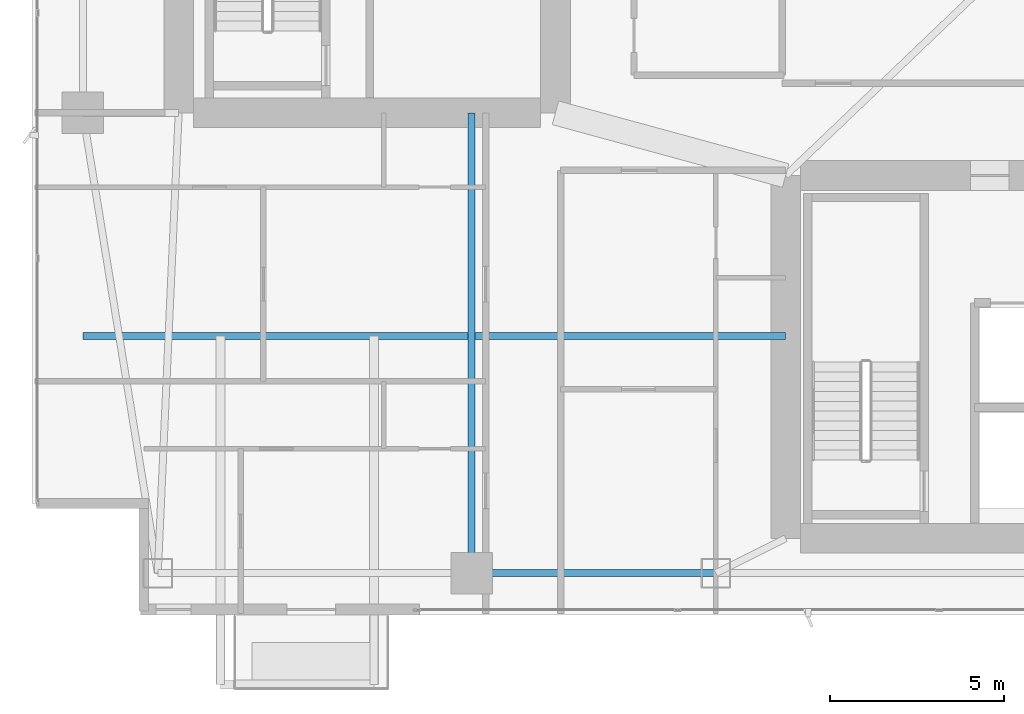
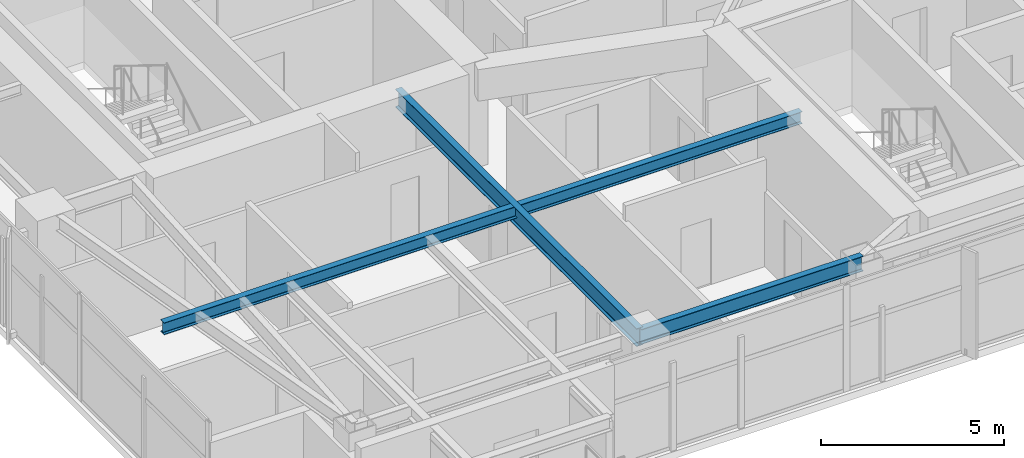
# One storey, part 5 of 28: 3 beams.
"""IFC4 building model written with IfcOpenShell, lengths in metres."""

from ifc_helpers import new_model, si_unit, direction, frame, origin, origin_2d, place, context, subcontext, project, spatial, i_section, extrude, material, material_profile, profile_set, type_object, element, save


model = new_model("IFC4")

# Units and contexts
model_context = context("Model", 3, precision=1e-05, world=origin(), true_north=direction((0.0, 1.0)))
body_context = subcontext(model_context, "Body", "Model", "MODEL_VIEW")
ifc_project = project(units=[si_unit("LENGTHUNIT", "METRE"), si_unit("AREAUNIT", "SQUARE_METRE"), si_unit("VOLUMEUNIT", "CUBIC_METRE"), si_unit("PLANEANGLEUNIT", "RADIAN"), si_unit("MASSUNIT", "GRAM", prefix="KILO")], contexts=[model_context])

# Site, building, storey
site_placement = place(None, origin())
site = spatial("IfcSite", under=ifc_project, at=site_placement, CompositionType="ELEMENT")
building_placement = place(site_placement, origin())
building = spatial("IfcBuilding", under=site, at=building_placement, Name="Calvorn Quay Hotel", CompositionType="ELEMENT")
storey_placement = place(building_placement, frame((0.0, 0.0, 156.10009765625)))
storey = spatial("IfcBuildingStorey", under=building, at=storey_placement, Name="L38", CompositionType="ELEMENT", Elevation=156.10009765625)

# Beams
ifc_material_1 = material(Name="Steel Q355B", Category="steel")
ifc_material_profile_1 = material_profile(ifc_material_1, i_section(OverallWidth=0.199951171875, OverallDepth=0.60009765625, WebThickness=0.010986328125, FlangeThickness=0.01708984375, FilletRadius=0.01806640625, at=origin_2d()), Name="HN600x200x11x17")
ifc_profile_set_1 = profile_set([ifc_material_profile_1], Name="Steel Q355B")
beam_type_1 = type_object("IfcBeamType", Name="BM-GIRD-TYP", PredefinedType="BEAM", material=ifc_profile_set_1)
beam_1_placement = place(storey_placement, frame((12.60009765625, 3.60009765625, 3.239990234375), z_axis=(0.0, 1.0, 0.0), x_axis=(-1.0, 0.0, 0.0)))
element("IfcBeam", 1, at=beam_1_placement, inside=storey, type_object=beam_type_1, Name="Beam BG-L38-S1", PredefinedType="BEAM", context=body_context, shape_type="SweptSolid", body=[
    extrude(i_section(OverallWidth=0.199951171875, OverallDepth=0.60009765625, WebThickness=0.010986328125, FlangeThickness=0.01708984375, FilletRadius=0.01806640625, at=origin_2d()), origin(), (0.0, 0.0, 1.0), 13.199951171875),
])
ifc_material_2 = material(Name="Steel Q355B", Category="steel")
ifc_material_profile_2 = material_profile(ifc_material_2, i_section(OverallWidth=0.199951171875, OverallDepth=0.39990234375, WebThickness=0.008056640625, FlangeThickness=0.012939453125, FilletRadius=0.01611328125, at=origin_2d()), Name="HN400x200x8x13")
ifc_profile_set_2 = profile_set([ifc_material_profile_2], Name="Steel Q355B")
beam_type_2 = type_object("IfcBeamType", Name="BM-JOIST-TYP", PredefinedType="JOIST", material=ifc_profile_set_2)
beam_2_placement = place(storey_placement, frame((1.449951171875, 10.39990234375, 3.33984375), z_axis=(1.0, 0.0, 0.0), x_axis=(0.0, 1.0, 0.0)))
element("IfcBeam", 2, at=beam_2_placement, inside=storey, type_object=beam_type_2, Name="Beam BJ-L38-W1", PredefinedType="JOIST", context=body_context, shape_type="SweptSolid", body=[
    extrude(i_section(OverallWidth=0.199951171875, OverallDepth=0.39990234375, WebThickness=0.008056640625, FlangeThickness=0.012939453125, FilletRadius=0.01611328125, at=origin_2d()), origin(), (0.0, 0.0, 1.0), 20.150146484375),
])
ifc_material_3 = material(Name="Steel Q355B", Category="steel")
ifc_material_profile_3 = material_profile(ifc_material_3, i_section(OverallWidth=0.199951171875, OverallDepth=0.5, WebThickness=0.010009765625, FlangeThickness=0.01611328125, FilletRadius=0.01611328125, at=origin_2d()), Name="HN500x200x10x16")
ifc_profile_set_3 = profile_set([ifc_material_profile_3], Name="Steel Q355B")
beam_type_3 = type_object("IfcBeamType", Name="BM-SPANDREL-Z1", PredefinedType="SPANDREL", material=ifc_profile_set_3)
beam_3_placement = place(storey_placement, frame((12.60009765625, 3.60009765625, 3.289794921875), z_axis=(1.0, 0.0, 0.0), x_axis=(0.0, 1.0, 0.0)))
element("IfcBeam", 3, at=beam_3_placement, inside=storey, type_object=beam_type_3, Name="Beam BSP-L38-S2", PredefinedType="SPANDREL", context=body_context, shape_type="SweptSolid", body=[
    extrude(i_section(OverallWidth=0.199951171875, OverallDepth=0.5, WebThickness=0.010009765625, FlangeThickness=0.01611328125, FilletRadius=0.01611328125, at=origin_2d()), origin(), (0.0, 0.0, 1.0), 7.0),
])

save(model, "model.ifc")
